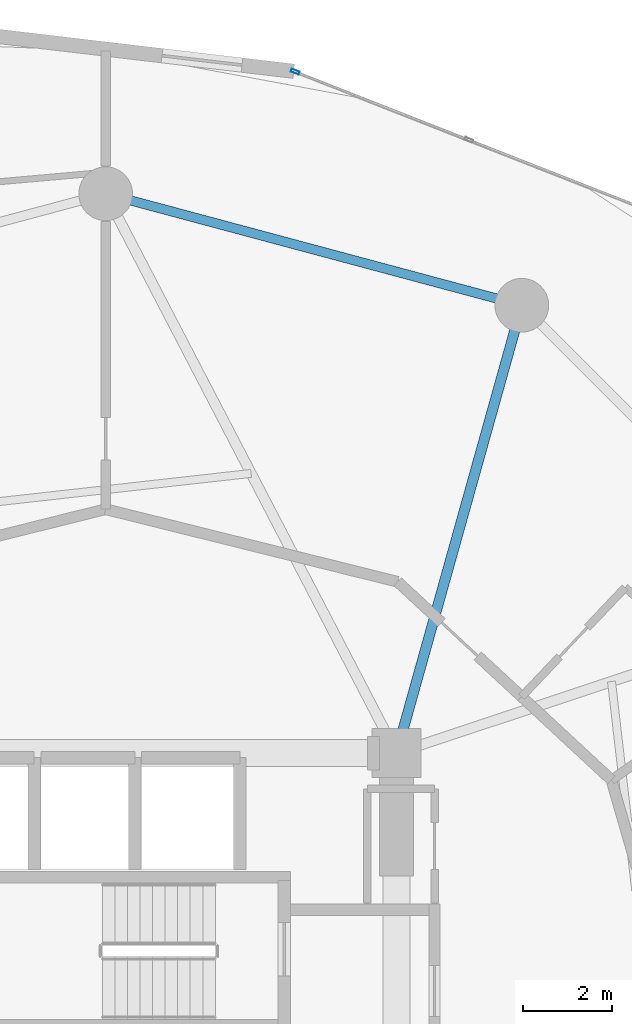
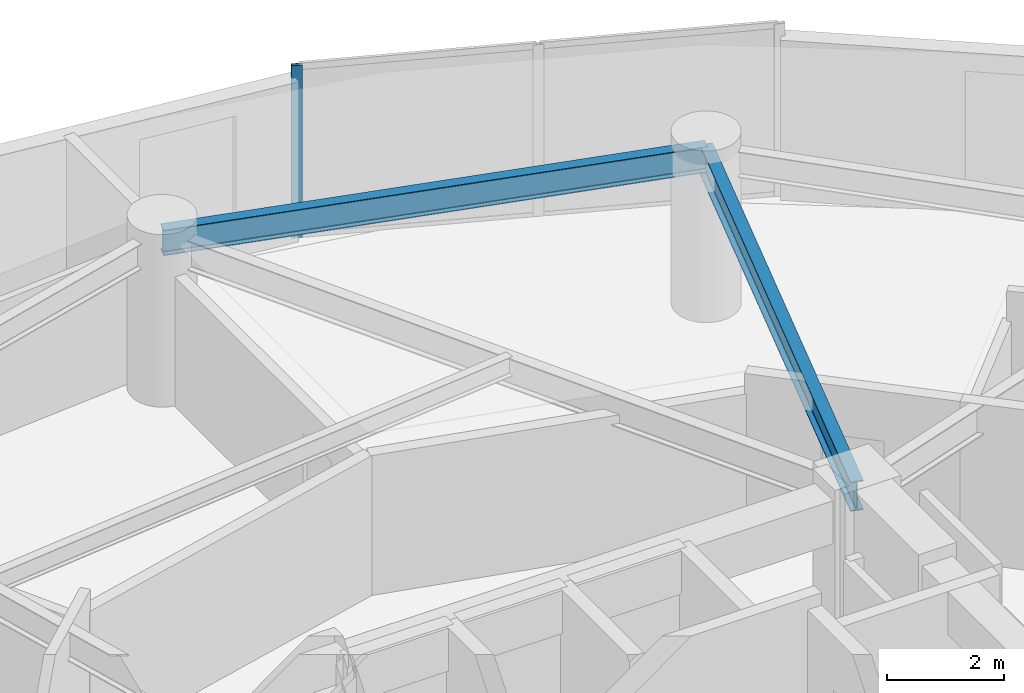
# One storey, part 15 of 25: 2 beams, 1 member, 1 element without a shape of its own.
"""IFC4 building model written with IfcOpenShell, lengths in metres."""

from ifc_helpers import new_model, si_unit, direction, frame, origin, origin_2d, place, context, subcontext, project, spatial, hollow_rectangle, i_section, extrude, source, transform, mapped, material, layer, layer_set, material_profile, profile_set, type_object, element, aggregate, save


model = new_model("IFC4")

# Units and contexts
model_context = context("Model", 3, precision=1e-05, world=origin(), true_north=direction((0.0, 1.0)))
body_context = subcontext(model_context, "Body", "Model", "MODEL_VIEW")
ifc_project = project(units=[si_unit("LENGTHUNIT", "METRE"), si_unit("AREAUNIT", "SQUARE_METRE"), si_unit("VOLUMEUNIT", "CUBIC_METRE"), si_unit("PLANEANGLEUNIT", "RADIAN"), si_unit("MASSUNIT", "GRAM", prefix="KILO")], contexts=[model_context])

# Site, building, storey
site_placement = place(None, origin())
site = spatial("IfcSite", under=ifc_project, at=site_placement, CompositionType="ELEMENT")
building_placement = place(site_placement, origin())
building = spatial("IfcBuilding", under=site, at=building_placement, Name="Solvirekh Grand Hotel", CompositionType="ELEMENT")
storey_placement = place(building_placement, frame((0.0, 0.0, 57.199951171875)))
storey = spatial("IfcBuildingStorey", under=building, at=storey_placement, Name="L13", CompositionType="ELEMENT", Elevation=57.199951171875)

# Beams
ifc_material_1 = material(Name="Steel S355", Category="steel")
ifc_material_profile_1 = material_profile(ifc_material_1, i_section(OverallWidth=0.22802734375, OverallDepth=0.616943359375, WebThickness=0.012939453125, FlangeThickness=0.02001953125, FilletRadius=0.014892578125, at=origin_2d()), Name="W610X140")
ifc_profile_set_1 = profile_set([ifc_material_profile_1], Name="Steel S355")
beam_type_1 = type_object("IfcBeamType", Name="Beam_Radial_W610", PredefinedType="BEAM", material=ifc_profile_set_1)
beam_1_placement = place(storey_placement, frame((6.5, 6.10009765625, 3.031005859375), z_axis=(0.269439084681, 0.963017434757, 0.0), x_axis=(-0.963017434757, 0.269439084681, 0.0)))
element("IfcBeam", 1, at=beam_1_placement, inside=storey, type_object=beam_type_1, Name="L13 radial floor beam R03", PredefinedType="BEAM", context=body_context, shape_type="SweptSolid", body=[
    extrude(i_section(OverallWidth=0.22802734375, OverallDepth=0.616943359375, WebThickness=0.012939453125, FlangeThickness=0.02001953125, FilletRadius=0.014892578125, at=origin_2d()), origin(), (0.0, 0.0, 1.0), 10.39208984375),
])
ifc_material_profile_2 = material_profile(ifc_material_1, i_section(OverallWidth=0.208984375, OverallDepth=0.532958984375, WebThickness=0.010009765625, FlangeThickness=0.014892578125, FilletRadius=0.013916015625, at=origin_2d()), Name="W530X92")
ifc_profile_set_2 = profile_set([ifc_material_profile_2], Name="Steel S355")
beam_type_2 = type_object("IfcBeamType", Name="Spandrel_Ring_W530", PredefinedType="SPANDREL", material=ifc_profile_set_2)
beam_2_placement = place(storey_placement, frame((9.300048828125, 16.10791015625, 3.072998046875), z_axis=(-0.965919414426, 0.258842973314, 0.0), x_axis=(-0.258842973314, -0.965919414426, 0.0)))
element("IfcBeam", 2, at=beam_2_placement, inside=storey, type_object=beam_type_2, Name="L13 perimeter spandrel beam 3", PredefinedType="SPANDREL", context=body_context, shape_type="SweptSolid", body=[
    extrude(i_section(OverallWidth=0.208984375, OverallDepth=0.532958984375, WebThickness=0.010009765625, FlangeThickness=0.014892578125, FilletRadius=0.013916015625, at=origin_2d()), origin(), (0.0, 0.0, 1.0), 9.628173828125),
])

# Curtain wall, member
ifc_material_2 = material(Name="Anodized Bronze Aluminium 6063-T6", Category="aluminium")
ifc_layer = layer(ifc_material_2, 0.18994140625)
ifc_layer_set = layer_set([ifc_layer], Name="Anodized Bronze Aluminium 6063-T6")
curtain_wall_type = type_object("IfcCurtainWallType", Name="CW_Sys2_LowZoneFlushBronzeCW", PredefinedType="NOTDEFINED", material=ifc_layer_set)
curtain_wall_placement = place(storey_placement, origin())
curtain_wall = element("IfcCurtainWall", 3, at=curtain_wall_placement, inside=storey, type_object=curtain_wall_type, Name="L13 unitised bronze-glass curtain wall CW-L13-C05", PredefinedType="NOTDEFINED")
ifc_material_profile_3 = material_profile(ifc_material_2, hollow_rectangle(XDim=0.070068359375, YDim=0.18994140625, WallThickness=0.0048828125, at=origin_2d()), Name="ALU RHS 190X70X5")
ifc_profile_set_3 = profile_set([ifc_material_profile_3], Name="Anodized Bronze Aluminium 6063-T6")
member_type = type_object("IfcMemberType", Name="CWMullion_Sys2", PredefinedType="MULLION", material=ifc_profile_set_3)
shared_shape = source(origin(), body_context, "Body", "SweptSolid", [
    extrude(hollow_rectangle(XDim=0.070068359375, YDim=0.18994140625, WallThickness=0.0048828125, at=origin_2d()), origin(), (0.0, 0.0, 1.0), 3.60009765625),
])
member_placement = place(storey_placement, frame((4.234619140625, 21.326171875, 0.0), z_axis=(0.0, 0.0, 1.0), x_axis=(-0.365398599776, -0.930851149906, 0.0)))
member = element("IfcMember", 4, at=member_placement, type_object=member_type, Name="U02 mullion 3", PredefinedType="MULLION", context=body_context, shape_type="MappedRepresentation", body=[
    mapped(shared_shape, transform((0.0, 0.0, 0.0), x_axis=(1.0, 0.0, 0.0), y_axis=(0.0, 1.0, 0.0), z_axis=(0.0, 0.0, 1.0), scale=1.0)),
])
aggregate(curtain_wall, [member])

save(model, "model.ifc")
